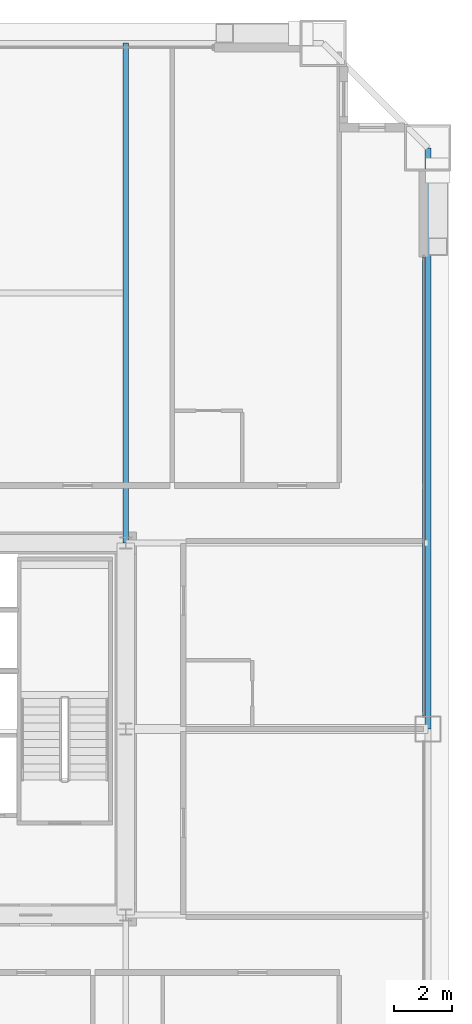
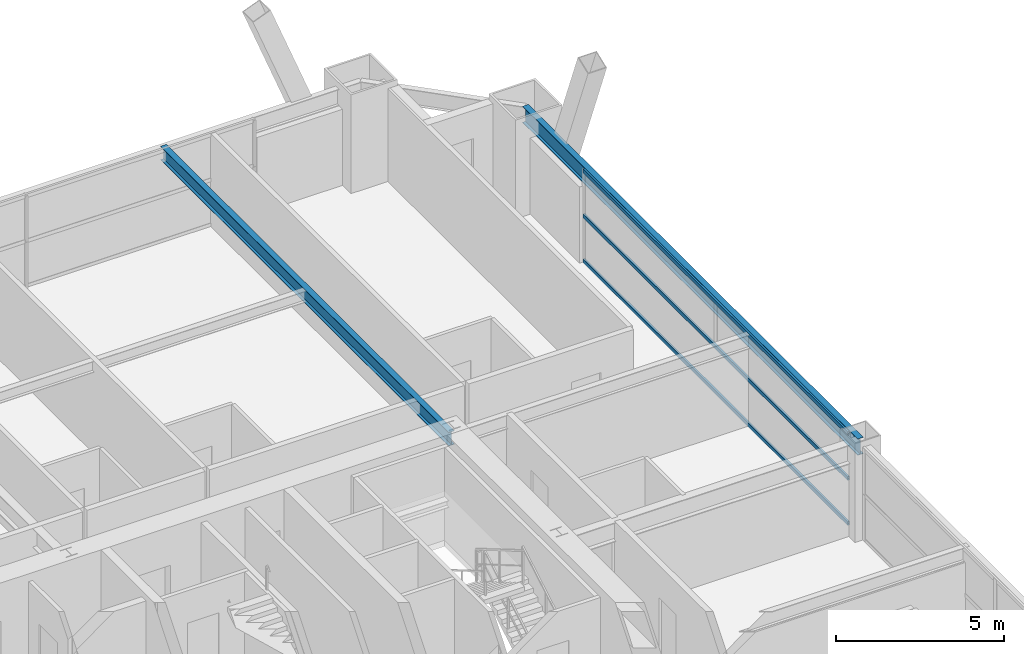
# One storey, part 31 of 41: 3 members, 2 beams, 1 element without a shape of its own.
"""IFC4 building model written with IfcOpenShell, lengths in metres."""

from ifc_helpers import new_model, si_unit, direction, frame, origin, origin_2d, place, context, subcontext, project, spatial, hollow_rectangle, i_section, extrude, source, transform, mapped, material, layer, layer_set, material_profile, profile_set, type_object, element, aggregate, save


model = new_model("IFC4")

# Units and contexts
model_context = context("Model", 3, precision=1e-05, world=origin(), true_north=direction((0.0, 1.0)))
body_context = subcontext(model_context, "Body", "Model", "MODEL_VIEW")
ifc_project = project(units=[si_unit("LENGTHUNIT", "METRE"), si_unit("AREAUNIT", "SQUARE_METRE"), si_unit("VOLUMEUNIT", "CUBIC_METRE"), si_unit("PLANEANGLEUNIT", "RADIAN"), si_unit("MASSUNIT", "GRAM", prefix="KILO"), si_unit("THERMODYNAMICTEMPERATUREUNIT", "KELVIN"), si_unit("POWERUNIT", "WATT")], contexts=[model_context])

# Site, building, storey
site_placement = place(None, origin())
site = spatial("IfcSite", under=ifc_project, at=site_placement, CompositionType="ELEMENT")
building_placement = place(site_placement, origin())
building = spatial("IfcBuilding", under=site, at=building_placement, Name="Yuzanri Waterfront Tower", CompositionType="ELEMENT")
storey_placement = place(building_placement, frame((0.0, 0.0, 152.39990234375)))
storey = spatial("IfcBuildingStorey", under=building, at=storey_placement, Name="L40", CompositionType="ELEMENT", Elevation=152.39990234375)

# Beams
ifc_material_1 = material(Name="Steel Q355B", Category="steel")
ifc_material_profile_1 = material_profile(ifc_material_1, i_section(OverallWidth=0.199951171875, OverallDepth=0.60009765625, WebThickness=0.010986328125, FlangeThickness=0.01708984375, at=origin_2d()), Name="HN 600x200x11x17")
ifc_profile_set_1 = profile_set([ifc_material_profile_1], Name="Steel Q355B")
beam_type_1 = type_object("IfcBeamType", Name="Perimeter Spandrel Q355B HN 600x200", PredefinedType="SPANDREL", material=ifc_profile_set_1)
shared_shape_1 = source(origin(), body_context, "Body", "SweptSolid", [
    extrude(i_section(OverallWidth=0.199951171875, OverallDepth=0.60009765625, WebThickness=0.010986328125, FlangeThickness=0.01708984375, at=origin_2d()), origin(), (0.0, 0.0, 1.0), 20.0),
])
beam_1_placement = place(storey_placement, frame((60.60009765625, 25.800048828125, 3.080078125), z_axis=(0.0, 1.0, 0.0), x_axis=(-1.0, 0.0, 0.0)))
element("IfcBeam", 1, at=beam_1_placement, inside=storey, type_object=beam_type_1, Name="L40 Perimeter Spandrel E2-E3", PredefinedType="SPANDREL", context=body_context, shape_type="MappedRepresentation", body=[
    mapped(shared_shape_1, transform((0.0, 0.0, 0.0), scale=1.0)),
])
ifc_material_2 = material(Name="Steel Q355B", Category="steel")
ifc_material_profile_2 = material_profile(ifc_material_2, i_section(OverallWidth=0.199951171875, OverallDepth=0.5, WebThickness=0.010009765625, FlangeThickness=0.01611328125, at=origin_2d()), Name="HN 500x200x10x16")
ifc_profile_set_2 = profile_set([ifc_material_profile_2], Name="Steel Q355B")
beam_type_2 = type_object("IfcBeamType", Name="Secondary Floor Beam Q355B HN 500x200", PredefinedType="BEAM", material=ifc_profile_set_2)
shared_shape_2 = source(origin(), body_context, "Body", "SweptSolid", [
    extrude(i_section(OverallWidth=0.199951171875, OverallDepth=0.5, WebThickness=0.010009765625, FlangeThickness=0.01611328125, at=origin_2d()), origin(), (0.0, 0.0, 1.0), 17.199951171875),
])
beam_2_placement = place(storey_placement, frame((50.199951171875, 32.199951171875, 3.130126953125), z_axis=(0.0, 1.0, 0.0), x_axis=(-1.0, 0.0, 0.0)))
element("IfcBeam", 2, at=beam_2_placement, inside=storey, type_object=beam_type_2, Name="L40 North-East Core Line Beam", PredefinedType="BEAM", context=body_context, shape_type="MappedRepresentation", body=[
    mapped(shared_shape_2, transform((0.0, 0.0, 0.0), scale=1.0)),
])

# Curtain wall, members
ifc_material_3 = material(Name="Anodized Architectural Bronze", Category="metal")
ifc_layer = layer(ifc_material_3, 0.159912109375)
ifc_layer_set = layer_set([ifc_layer], Name="Anodized Architectural Bronze")
curtain_wall_type = type_object("IfcCurtainWallType", Name="Anodized Bronze Hotel Upper-Tier Solar-Control Unitized Curtain Wall 7800", PredefinedType="NOTDEFINED", material=ifc_layer_set)
curtain_wall_placement = place(storey_placement, origin())
curtain_wall = element("IfcCurtainWall", 3, at=curtain_wall_placement, inside=storey, type_object=curtain_wall_type, Name="L40 Curtain Wall CW-L40-ER", PredefinedType="NOTDEFINED")
ifc_material_4 = material(Name="Anodized Architectural Bronze", Category="metal")
ifc_material_profile_3 = material_profile(ifc_material_4, hollow_rectangle(XDim=0.070068359375, YDim=0.135009765625, WallThickness=0.00341796875, at=origin_2d()), Name="CWT 70x135")
ifc_profile_set_3 = profile_set([ifc_material_profile_3], Name="Anodized Architectural Bronze")
member_type = type_object("IfcMemberType", Name="Anodized Bronze Standard Curtain-Wall Transom 70x135", PredefinedType="USERDEFINED", material=ifc_profile_set_3)
shared_shape_3 = source(origin(), body_context, "Body", "SweptSolid", [
    extrude(hollow_rectangle(XDim=0.070068359375, YDim=0.135009765625, WallThickness=0.00341796875, at=origin_2d()), origin(), (0.0, 0.0, 1.0), 15.800048828125),
])
member_1_placement = place(storey_placement, frame((60.449951171875, 26.25, 0.050048828125), z_axis=(0.0, 1.0, 0.0), x_axis=(-1.0, 0.0, 0.0)))
member_1 = element("IfcMember", 4, at=member_1_placement, type_object=member_type, Name="CW-L40-ER Transom 1", ObjectType="TRANSOM", PredefinedType="USERDEFINED", context=body_context, shape_type="MappedRepresentation", body=[
    mapped(shared_shape_3, transform((0.0, 0.0, 0.0), scale=1.0)),
])
member_2_placement = place(storey_placement, frame((60.449951171875, 26.25, 1.690185546875), z_axis=(0.0, 1.0, 0.0), x_axis=(-1.0, 0.0, 0.0)))
member_2 = element("IfcMember", 5, at=member_2_placement, type_object=member_type, Name="CW-L40-ER Transom 2", ObjectType="TRANSOM", PredefinedType="USERDEFINED", context=body_context, shape_type="MappedRepresentation", body=[
    mapped(shared_shape_3, transform((0.0, 0.0, 0.0), scale=1.0)),
])
member_3_placement = place(storey_placement, frame((60.449951171875, 26.25, 3.330078125), z_axis=(0.0, 1.0, 0.0), x_axis=(-1.0, 0.0, 0.0)))
member_3 = element("IfcMember", 6, at=member_3_placement, type_object=member_type, Name="CW-L40-ER Transom 3", ObjectType="TRANSOM", PredefinedType="USERDEFINED", context=body_context, shape_type="MappedRepresentation", body=[
    mapped(shared_shape_3, transform((0.0, 0.0, 0.0), scale=1.0)),
])
aggregate(curtain_wall, [member_1, member_2, member_3])

save(model, "model.ifc")
